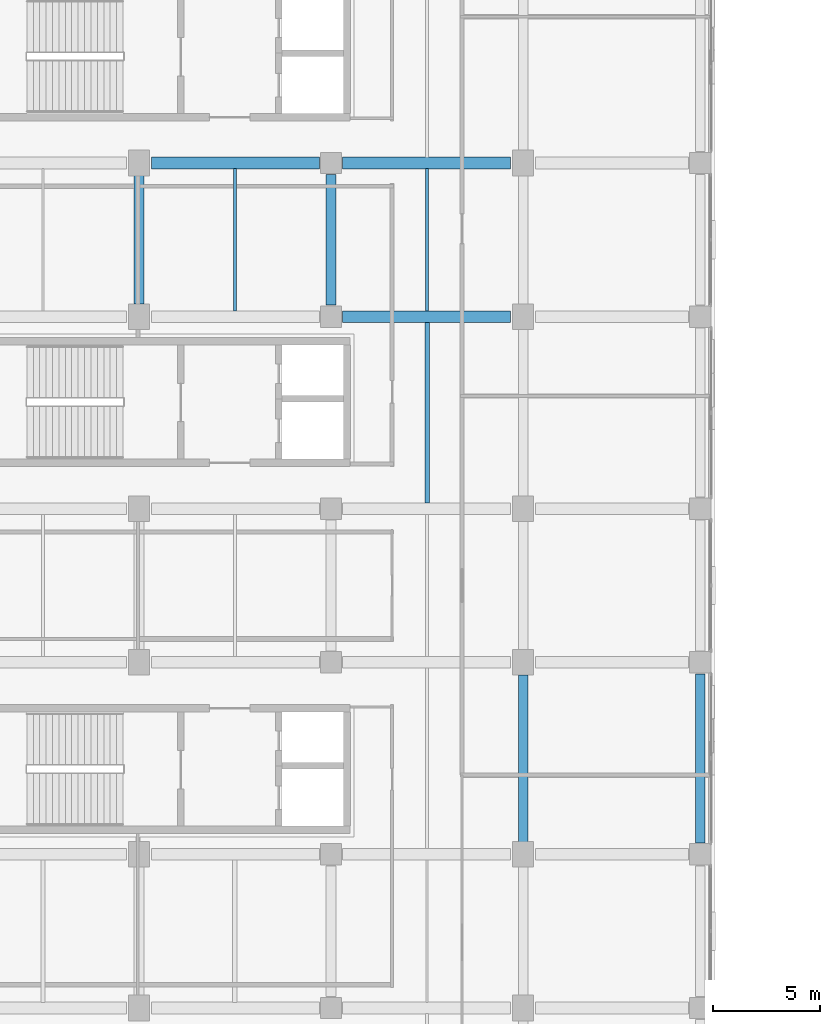
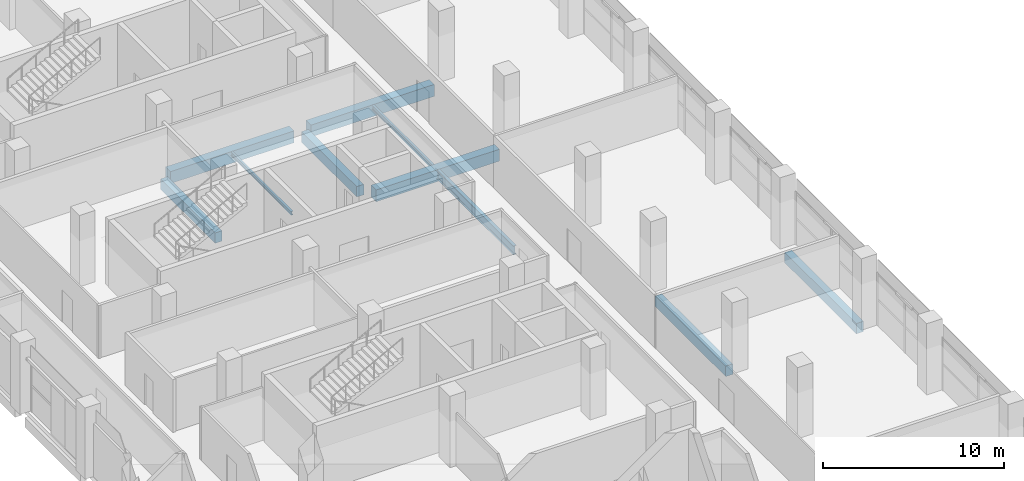
# One storey, part 17 of 111: 10 beams.
"""IFC4 building model written with IfcOpenShell, lengths in metres."""

from ifc_helpers import new_model, si_unit, direction, frame, origin, origin_2d, place, context, subcontext, project, spatial, rectangle, i_section, extrude, material, material_profile, profile_set, type_object, element, save


model = new_model("IFC4")

# Units and contexts
model_context = context("Model", 3, precision=1e-05, world=origin(), true_north=direction((0.0, 1.0)))
body_context = subcontext(model_context, "Body", "Model", "MODEL_VIEW")
ifc_project = project(units=[si_unit("LENGTHUNIT", "METRE"), si_unit("AREAUNIT", "SQUARE_METRE"), si_unit("VOLUMEUNIT", "CUBIC_METRE"), si_unit("PLANEANGLEUNIT", "RADIAN"), si_unit("MASSUNIT", "GRAM", prefix="KILO"), si_unit("THERMODYNAMICTEMPERATUREUNIT", "KELVIN"), si_unit("POWERUNIT", "WATT")], contexts=[model_context])

# Site, building, storey
site_placement = place(None, origin())
site = spatial("IfcSite", under=ifc_project, at=site_placement, CompositionType="ELEMENT")
building_placement = place(site_placement, origin())
building = spatial("IfcBuilding", under=site, at=building_placement, Name="Sindhuravela Promenade Stadium", CompositionType="ELEMENT")
storey_placement = place(building_placement, frame((0.0, 0.0, 9.60009765625)))
storey = spatial("IfcBuildingStorey", under=building, at=storey_placement, Name="L02", CompositionType="ELEMENT", Elevation=9.60009765625)

# Beams
ifc_material_1 = material(Name="Concrete M40", Category="concrete")
ifc_material_profile_1 = material_profile(ifc_material_1, rectangle(XDim=0.449951171875, YDim=0.699951171875, at=origin_2d()), Name="RC 450x700")
ifc_profile_set_1 = profile_set([ifc_material_profile_1], Name="Concrete M40")
beam_type_1 = type_object("IfcBeamType", Name="RC-BM-450x700", PredefinedType="BEAM", material=ifc_profile_set_1)
beam_1_placement = place(storey_placement, frame((18.0, 94.18994140625, -0.630126953125), z_axis=(0.0, 1.0, 0.0), x_axis=(-1.0, 0.0, 0.0)))
element("IfcBeam", 1, at=beam_1_placement, inside=storey, type_object=beam_type_1, Name="Primary beam GB07 WEST L02", PredefinedType="BEAM", context=body_context, shape_type="SweptSolid", body=[
    extrude(rectangle(XDim=0.449951171875, YDim=0.699951171875, at=origin_2d()), origin(), (0.0, 0.0, 1.0), 6.02001953125),
])
beam_2_placement = place(storey_placement, frame((27.0, 94.139892578125, -0.630126953125), z_axis=(0.0, 1.0, 0.0), x_axis=(-1.0, 0.0, 0.0)))
element("IfcBeam", 2, at=beam_2_placement, inside=storey, type_object=beam_type_1, Name="Primary beam GB07 WEST L02", PredefinedType="BEAM", context=body_context, shape_type="SweptSolid", body=[
    extrude(rectangle(XDim=0.449951171875, YDim=0.699951171875, at=origin_2d()), origin(), (0.0, 0.0, 1.0), 6.1201171875),
])
beam_3_placement = place(storey_placement, frame((36.0, 68.989990234375, -0.630126953125), z_axis=(0.0, 1.0, 0.0), x_axis=(-1.0, 0.0, 0.0)))
element("IfcBeam", 3, at=beam_3_placement, inside=storey, type_object=beam_type_1, Name="Primary beam GB07 WEST L02", PredefinedType="BEAM", context=body_context, shape_type="SweptSolid", body=[
    extrude(rectangle(XDim=0.449951171875, YDim=0.699951171875, at=origin_2d()), origin(), (0.0, 0.0, 1.0), 7.820068359375),
])
beam_4_placement = place(storey_placement, frame((44.300048828125, 68.93994140625, -0.630126953125), z_axis=(0.0, 1.0, 0.0), x_axis=(-1.0, 0.0, 0.0)))
element("IfcBeam", 4, at=beam_4_placement, inside=storey, type_object=beam_type_1, Name="Primary beam GB07 WEST L02", PredefinedType="BEAM", context=body_context, shape_type="SweptSolid", body=[
    extrude(rectangle(XDim=0.449951171875, YDim=0.699951171875, at=origin_2d()), origin(), (0.0, 0.0, 1.0), 7.920166015625),
])
ifc_material_profile_2 = material_profile(ifc_material_1, rectangle(XDim=0.550048828125, YDim=0.800048828125, at=origin_2d()), Name="RC 550x800")
ifc_profile_set_2 = profile_set([ifc_material_profile_2], Name="Concrete M40")
beam_type_2 = type_object("IfcBeamType", Name="RC-BM-550x800", PredefinedType="BEAM", material=ifc_profile_set_2)
for number, where, z_axis, x_axis, name in (
    (5, (27.5400390625, 93.60009765625, -0.68017578125), (1.0, 0.0, 0.0), (0.0, 1.0, 0.0), "Primary girder GB05 WEST L02"),
    (6, (18.590087890625, 100.800048828125, -0.68017578125), (1.0, 0.0, 0.0), (0.0, 1.0, 0.0), "Primary girder GB05 WEST L02"),
    (7, (27.5400390625, 100.800048828125, -0.68017578125), (1.0, 0.0, 0.0), (0.0, 1.0, 0.0), "Primary girder GB05 WEST L02"),
):
    element("IfcBeam", number, at=place(storey_placement, frame(where, z_axis=z_axis, x_axis=x_axis)), inside=storey, type_object=beam_type_2, Name=name, PredefinedType="BEAM", context=body_context, shape_type="SweptSolid", body=[
        extrude(rectangle(XDim=0.550048828125, YDim=0.800048828125, at=origin_2d()), origin(), (0.0, 0.0, 1.0), 7.869873046875),
    ])
ifc_material_2 = material(Name="Steel E350 (IS 2062 E350BR)", Category="steel")
ifc_material_profile_3 = material_profile(ifc_material_2, i_section(OverallWidth=0.125, OverallDepth=0.25, WebThickness=0.0068359375, FlangeThickness=0.012451171875, FilletRadius=0.012939453125, at=origin_2d()), Name="ISMB 250")
ifc_profile_set_3 = profile_set([ifc_material_profile_3], Name="Steel E350 (IS 2062 E350BR)")
beam_type_3 = type_object("IfcBeamType", Name="ST-BM-MB250", PredefinedType="JOIST", material=ifc_profile_set_3)
beam_5_placement = place(storey_placement, frame((22.5, 93.864990234375, -0.405029296875), z_axis=(0.0, 1.0, 0.0), x_axis=(-1.0, 0.0, 0.0)))
element("IfcBeam", 8, at=beam_5_placement, inside=storey, type_object=beam_type_3, Name="Secondary floor joist SB02 WEST L02", PredefinedType="JOIST", context=body_context, shape_type="SweptSolid", body=[
    extrude(i_section(OverallWidth=0.125, OverallDepth=0.25, WebThickness=0.0068359375, FlangeThickness=0.012451171875, FilletRadius=0.012939453125, at=origin_2d()), origin(), (0.0, 0.0, 1.0), 6.669921875),
])
ifc_material_profile_4 = material_profile(ifc_material_2, i_section(OverallWidth=0.139892578125, OverallDepth=0.300048828125, WebThickness=0.0078125, FlangeThickness=0.01318359375, FilletRadius=0.013916015625, at=origin_2d()), Name="ISMB 300")
ifc_profile_set_4 = profile_set([ifc_material_profile_4], Name="Steel E350 (IS 2062 E350BR)")
beam_type_4 = type_object("IfcBeamType", Name="ST-BM-MB300", PredefinedType="JOIST", material=ifc_profile_set_4)
beam_6_placement = place(storey_placement, frame((31.5, 93.864990234375, -0.43017578125), z_axis=(0.0, 1.0, 0.0), x_axis=(-1.0, 0.0, 0.0)))
element("IfcBeam", 9, at=beam_6_placement, inside=storey, type_object=beam_type_4, Name="Secondary floor joist SB03 WEST L02", PredefinedType="JOIST", context=body_context, shape_type="SweptSolid", body=[
    extrude(i_section(OverallWidth=0.139892578125, OverallDepth=0.300048828125, WebThickness=0.0078125, FlangeThickness=0.01318359375, FilletRadius=0.013916015625, at=origin_2d()), origin(), (0.0, 0.0, 1.0), 6.669921875),
])
ifc_material_profile_5 = material_profile(ifc_material_2, i_section(OverallWidth=0.2099609375, OverallDepth=0.60009765625, WebThickness=0.011962890625, FlangeThickness=0.020751953125, FilletRadius=0.02001953125, at=origin_2d()), Name="ISMB 600")
ifc_profile_set_5 = profile_set([ifc_material_profile_5], Name="Steel E350 (IS 2062 E350BR)")
beam_type_5 = type_object("IfcBeamType", Name="ST-BM-MB600", PredefinedType="BEAM", material=ifc_profile_set_5)
beam_7_placement = place(storey_placement, frame((31.5, 84.864990234375, -0.580078125), z_axis=(0.0, 1.0, 0.0), x_axis=(-1.0, 0.0, 0.0)))
element("IfcBeam", 10, at=beam_7_placement, inside=storey, type_object=beam_type_5, Name="Secondary floor joist SB09 WEST L02", PredefinedType="BEAM", context=body_context, shape_type="SweptSolid", body=[
    extrude(i_section(OverallWidth=0.2099609375, OverallDepth=0.60009765625, WebThickness=0.011962890625, FlangeThickness=0.020751953125, FilletRadius=0.02001953125, at=origin_2d()), origin(), (0.0, 0.0, 1.0), 8.469970703125),
])

save(model, "model.ifc")
